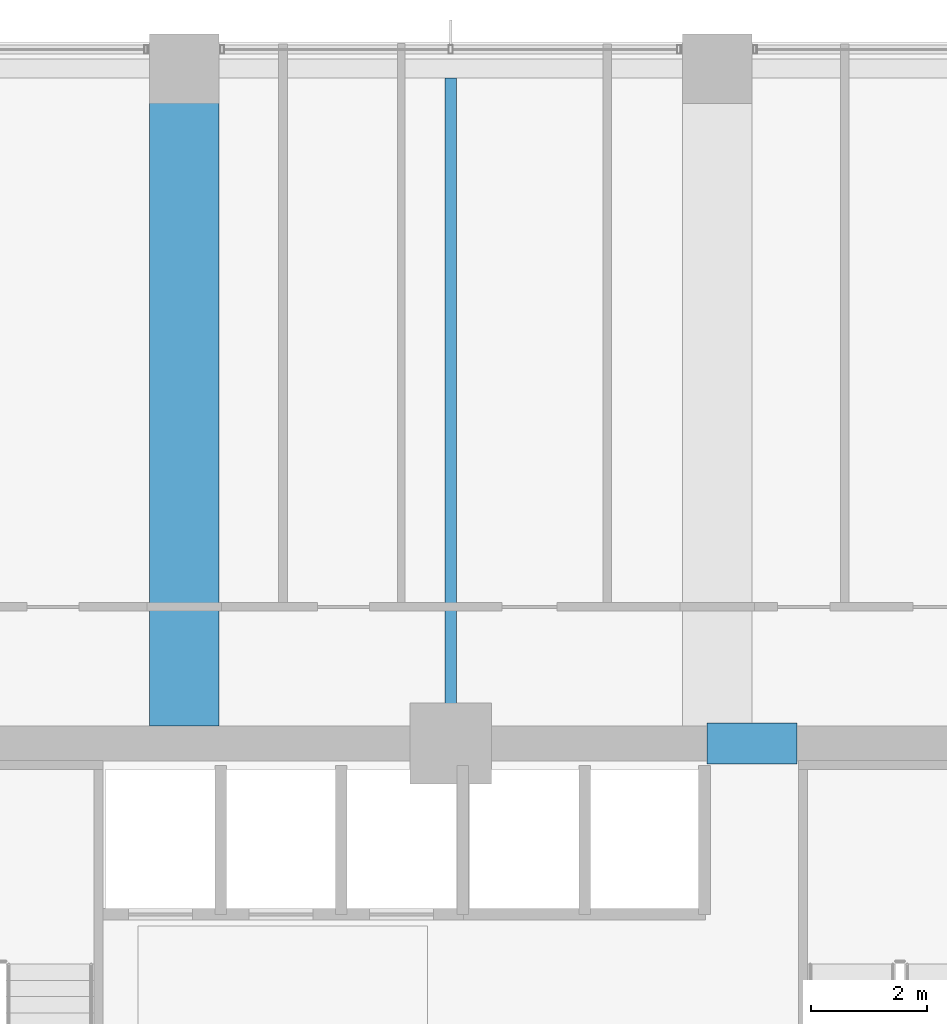
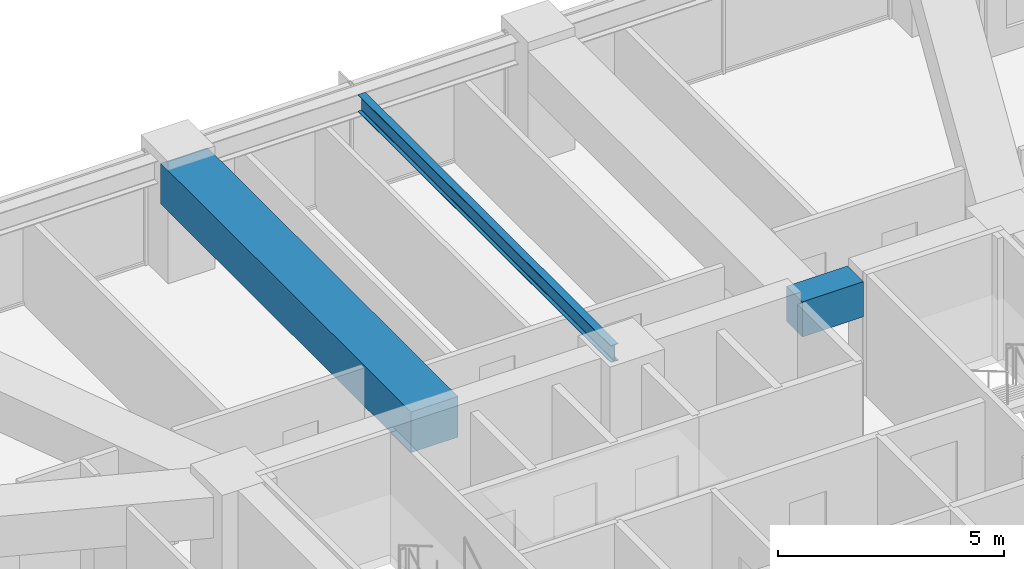
# One storey, part 20 of 37: 3 beams.
"""IFC4 building model written with IfcOpenShell, lengths in metres."""

from ifc_helpers import new_model, si_unit, direction, frame, origin, origin_2d, place, context, subcontext, project, spatial, rectangle, i_section, extrude, material, material_profile, profile_set, type_object, element, save


model = new_model("IFC4")

# Units and contexts
model_context = context("Model", 3, precision=1e-05, world=origin(), true_north=direction((0.0, 1.0)))
body_context = subcontext(model_context, "Body", "Model", "MODEL_VIEW")
ifc_project = project(units=[si_unit("LENGTHUNIT", "METRE"), si_unit("AREAUNIT", "SQUARE_METRE"), si_unit("VOLUMEUNIT", "CUBIC_METRE"), si_unit("PLANEANGLEUNIT", "RADIAN"), si_unit("MASSUNIT", "GRAM", prefix="KILO")], contexts=[model_context])

# Site, building, storey
site_placement = place(None, origin())
site = spatial("IfcSite", under=ifc_project, at=site_placement, CompositionType="ELEMENT")
building_placement = place(site_placement, origin())
building = spatial("IfcBuilding", under=site, at=building_placement, Name="Kolvaren Belvedere", CompositionType="ELEMENT")
storey_placement = place(building_placement, frame((0.0, 0.0, 37.0)))
storey = spatial("IfcBuildingStorey", under=building, at=storey_placement, Name="L10", CompositionType="ELEMENT", Elevation=37.0)

# Beams
ifc_material_1 = material(Name="Structural steel ASTM A992 Grade 50", Category="steel")
ifc_material_profile_1 = material_profile(ifc_material_1, i_section(OverallWidth=0.19091796875, OverallDepth=0.4599609375, WebThickness=0.010009765625, FlangeThickness=0.01611328125, FilletRadius=0.014892578125, at=origin_2d()), Name="W18X55")
ifc_profile_set_1 = profile_set([ifc_material_profile_1], Name="Structural steel ASTM A992 Grade 50")
beam_type_1 = type_object("IfcBeamType", Name="BM-JOIST-W18X55", PredefinedType="BEAM", material=ifc_profile_set_1)
beam_1_placement = place(storey_placement, frame((0.0, 10.199951171875, 2.830078125), z_axis=(0.0, 1.0, 0.0), x_axis=(-1.0, 0.0, 0.0)))
element("IfcBeam", 1, at=beam_1_placement, inside=storey, type_object=beam_type_1, Name="L10 North Centre Floor Beam", PredefinedType="BEAM", context=body_context, shape_type="SweptSolid", body=[
    extrude(i_section(OverallWidth=0.19091796875, OverallDepth=0.4599609375, WebThickness=0.010009765625, FlangeThickness=0.01611328125, FilletRadius=0.014892578125, at=origin_2d()), origin(), (0.0, 0.0, 1.0), 11.1875),
])
ifc_material_2 = material(Name="Concrete C60/75", Category="concrete")
ifc_material_profile_2 = material_profile(ifc_material_2, rectangle(XDim=0.699951171875, YDim=0.949951171875, at=origin_2d()), Name="RC 700X950")
ifc_profile_set_2 = profile_set([ifc_material_profile_2], Name="Concrete C60/75")
beam_type_2 = type_object("IfcBeamType", Name="BM-LINT-950", PredefinedType="LINTEL", material=ifc_profile_set_2)
beam_2_placement = place(storey_placement, frame((4.419921875, 9.89990234375, 2.5849609375), z_axis=(1.0, 0.0, 0.0), x_axis=(0.0, 1.0, 0.0)))
element("IfcBeam", 2, at=beam_2_placement, inside=storey, type_object=beam_type_2, Name="L10 North Core Coupling Lintel", PredefinedType="LINTEL", context=body_context, shape_type="SweptSolid", body=[
    extrude(rectangle(XDim=0.699951171875, YDim=0.949951171875, at=origin_2d()), origin(), (0.0, 0.0, 1.0), 1.56005859375),
])
ifc_material_3 = material(Name="Concrete C50/60", Category="concrete")
ifc_material_profile_3 = material_profile(ifc_material_3, rectangle(XDim=1.199951171875, YDim=1.10009765625, at=origin_2d()), Name="RC 1200X1100")
ifc_profile_set_3 = profile_set([ifc_material_profile_3], Name="Concrete C50/60")
beam_type_3 = type_object("IfcBeamType", Name="BM-TG-1100", PredefinedType="BEAM", material=ifc_profile_set_3)
beam_3_placement = place(storey_placement, frame((-4.60009765625, 10.199951171875, 2.510009765625), z_axis=(0.0, 1.0, 0.0), x_axis=(-1.0, 0.0, 0.0)))
element("IfcBeam", 3, at=beam_3_placement, inside=storey, type_object=beam_type_3, Name="L10 North Radial Girder M", PredefinedType="BEAM", context=body_context, shape_type="SweptSolid", body=[
    extrude(rectangle(XDim=1.199951171875, YDim=1.10009765625, at=origin_2d()), origin(), (0.0, 0.0, 1.0), 11.080078125),
])

save(model, "model.ifc")
